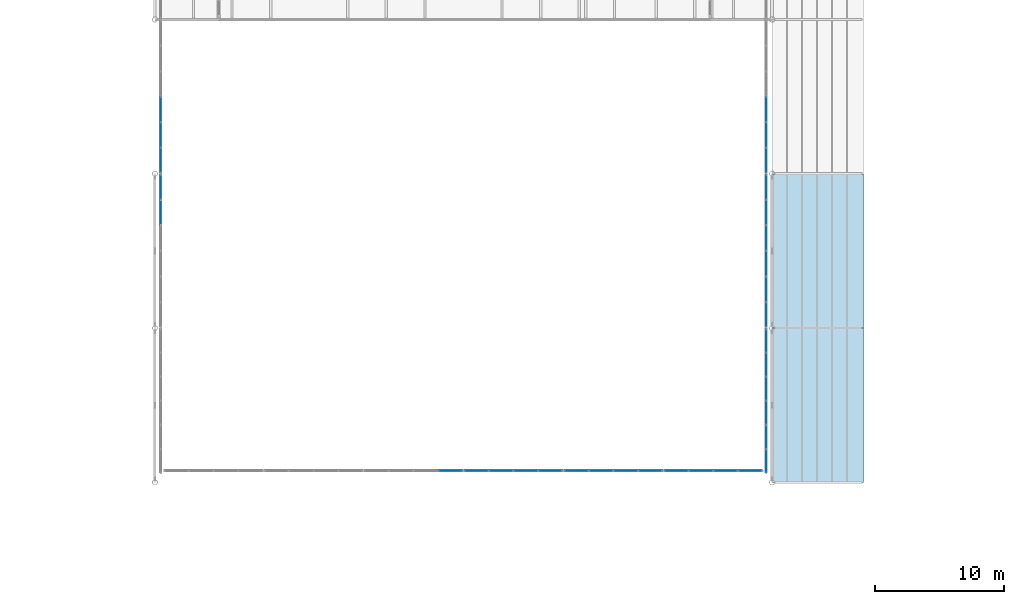
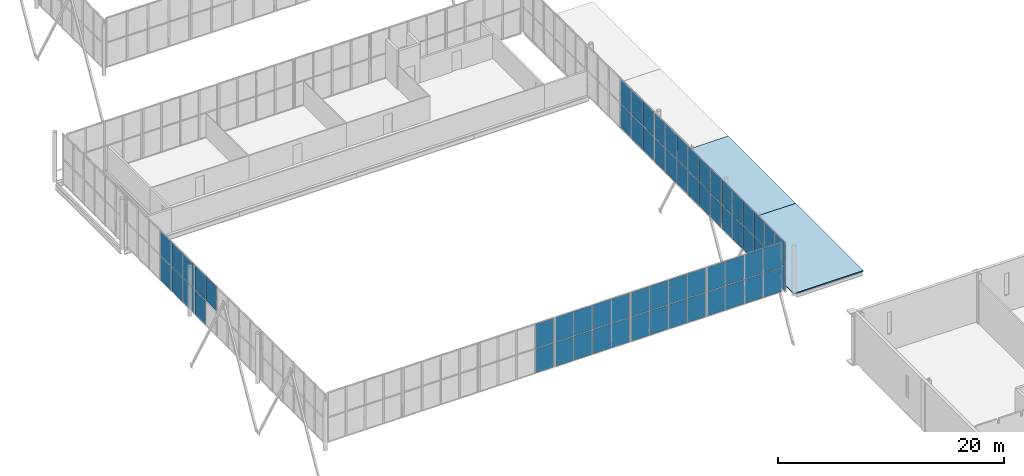
# One storey, part 92 of 170: 65 plates, 2 slabs, 9 elements without a shape of their own.
"""IFC4 building model written with IfcOpenShell, lengths in metres."""

from ifc_helpers import new_model, si_unit, direction, frame, origin, origin_2d, place, context, subcontext, project, spatial, polyline, rectangle, outline, extrude, material, layer, layer_set, type_object, element, aggregate, save


model = new_model("IFC4")

# Units and contexts
model_context = context("Model", 3, precision=1e-05, world=origin(), true_north=direction((0.0, 1.0)))
body_context = subcontext(model_context, "Body", "Model", "MODEL_VIEW")
ifc_project = project(units=[si_unit("LENGTHUNIT", "METRE"), si_unit("AREAUNIT", "SQUARE_METRE"), si_unit("VOLUMEUNIT", "CUBIC_METRE"), si_unit("PLANEANGLEUNIT", "RADIAN"), si_unit("MASSUNIT", "GRAM", prefix="KILO")], contexts=[model_context])

# Site, building, storey
site_placement = place(None, origin())
site = spatial("IfcSite", under=ifc_project, at=site_placement, CompositionType="ELEMENT")
building_placement = place(site_placement, origin())
building = spatial("IfcBuilding", under=site, at=building_placement, Name="Ravi Spectrum Wholesale Market", CompositionType="ELEMENT")
storey_placement = place(building_placement, frame((0.0, 0.0, 5.39990234375)))
storey = spatial("IfcBuildingStorey", under=building, at=storey_placement, Name="L01", CompositionType="ELEMENT", Elevation=5.39990234375)

# Curtain wall, plates
ifc_material_1 = material(Name="Aluminium 6063-T6", Category="aluminium")
ifc_layer_1 = layer(ifc_material_1, 0.14990234375)
ifc_layer_set_1 = layer_set([ifc_layer_1], Name="Aluminium 6063-T6")
curtain_wall_type = type_object("IfcCurtainWallType", Name="Curtain wall 150", PredefinedType="NOTDEFINED", material=ifc_layer_set_1)
curtain_wall_1_placement = place(storey_placement, origin())
curtain_wall_1 = element("IfcCurtainWall", 1, at=curtain_wall_1_placement, inside=storey, type_object=curtain_wall_type, Name="H2-CW-L01-002", PredefinedType="NOTDEFINED")
ifc_material_2 = material(Name="Toughened glass", Category="glass")
ifc_layer_2 = layer(ifc_material_2, 0.028076171875)
ifc_layer_set_2 = layer_set([ifc_layer_2], Name="Toughened glass")
plate_type_1 = type_object("IfcPlateType", Name="Glazing panel 28", PredefinedType="CURTAIN_PANEL", material=ifc_layer_set_2)
plate_1_placement = place(storey_placement, frame((150.453125, 98.97998046875, 2.72998046875), z_axis=(0.0, 0.0, 1.0), x_axis=(0.0, 1.0, 0.0)))
plate_1 = element("IfcPlate", 2, at=plate_1_placement, type_object=plate_type_1, Name="H2-CW-L01-002 panel 5.2", PredefinedType="CURTAIN_PANEL", context=body_context, shape_type="SweptSolid", body=[
    extrude(rectangle(XDim=1.9267578125, YDim=0.028076171875, at=origin_2d()), origin(), (0.0, 0.0, 1.0), 2.610107421875),
])
plate_2_placement = place(storey_placement, frame((150.453125, 100.95166015625, 0.06005859375), z_axis=(0.0, 0.0, 1.0), x_axis=(0.0, 1.0, 0.0)))
plate_2 = element("IfcPlate", 3, at=plate_2_placement, type_object=plate_type_1, Name="H2-CW-L01-002 panel 6.1", PredefinedType="CURTAIN_PANEL", context=body_context, shape_type="SweptSolid", body=[
    extrude(rectangle(XDim=1.896728515625, YDim=0.028076171875, at=origin_2d()), origin(), (0.0, 0.0, 1.0), 2.610107421875),
])

curtain_wall_2_placement = place(storey_placement, origin())
curtain_wall_2 = element("IfcCurtainWall", 4, at=curtain_wall_2_placement, inside=storey, type_object=curtain_wall_type, Name="H2-CW-L01-003", PredefinedType="NOTDEFINED")
plate_3_placement = place(storey_placement, frame((150.453125, 103.04833984375, 0.06005859375), z_axis=(0.0, 0.0, 1.0), x_axis=(0.0, 1.0, 0.0)))
plate_3 = element("IfcPlate", 5, at=plate_3_placement, type_object=plate_type_1, Name="H2-CW-L01-003 panel 1.1", PredefinedType="CURTAIN_PANEL", context=body_context, shape_type="SweptSolid", body=[
    extrude(rectangle(XDim=1.896728515625, YDim=0.028076171875, at=origin_2d()), origin(), (0.0, 0.0, 1.0), 2.610107421875),
])
plate_4_placement = place(storey_placement, frame((150.453125, 105.02001953125, 0.06005859375), z_axis=(0.0, 0.0, 1.0), x_axis=(0.0, 1.0, 0.0)))
plate_4 = element("IfcPlate", 6, at=plate_4_placement, type_object=plate_type_1, Name="H2-CW-L01-003 panel 2.1", PredefinedType="CURTAIN_PANEL", context=body_context, shape_type="SweptSolid", body=[
    extrude(rectangle(XDim=1.9267578125, YDim=0.028076171875, at=origin_2d()), origin(), (0.0, 0.0, 1.0), 2.610107421875),
])
plate_5_placement = place(storey_placement, frame((150.453125, 105.02001953125, 2.72998046875), z_axis=(0.0, 0.0, 1.0), x_axis=(0.0, 1.0, 0.0)))
plate_5 = element("IfcPlate", 7, at=plate_5_placement, type_object=plate_type_1, Name="H2-CW-L01-003 panel 2.2", PredefinedType="CURTAIN_PANEL", context=body_context, shape_type="SweptSolid", body=[
    extrude(rectangle(XDim=1.9267578125, YDim=0.028076171875, at=origin_2d()), origin(), (0.0, 0.0, 1.0), 2.610107421875),
])
plate_6_placement = place(storey_placement, frame((150.453125, 107.006591796875, 0.06005859375), z_axis=(0.0, 0.0, 1.0), x_axis=(0.0, 1.0, 0.0)))
plate_6 = element("IfcPlate", 8, at=plate_6_placement, type_object=plate_type_1, Name="H2-CW-L01-003 panel 3.1", PredefinedType="CURTAIN_PANEL", context=body_context, shape_type="SweptSolid", body=[
    extrude(rectangle(XDim=1.9267578125, YDim=0.028076171875, at=origin_2d()), origin(), (0.0, 0.0, 1.0), 2.610107421875),
])
plate_7_placement = place(storey_placement, frame((150.453125, 107.006591796875, 2.72998046875), z_axis=(0.0, 0.0, 1.0), x_axis=(0.0, 1.0, 0.0)))
plate_7 = element("IfcPlate", 9, at=plate_7_placement, type_object=plate_type_1, Name="H2-CW-L01-003 panel 3.2", PredefinedType="CURTAIN_PANEL", context=body_context, shape_type="SweptSolid", body=[
    extrude(rectangle(XDim=1.9267578125, YDim=0.028076171875, at=origin_2d()), origin(), (0.0, 0.0, 1.0), 2.610107421875),
])

curtain_wall_3_placement = place(storey_placement, origin())
curtain_wall_3 = element("IfcCurtainWall", 10, at=curtain_wall_3_placement, inside=storey, type_object=curtain_wall_type, Name="H2-CW-L01-005", PredefinedType="NOTDEFINED")
plate_8_placement = place(storey_placement, frame((197.546875, 79.66259765625, 0.06005859375), z_axis=(0.0, 0.0, 1.0), x_axis=(0.0, 1.0, 0.0)))
plate_8 = element("IfcPlate", 11, at=plate_8_placement, type_object=plate_type_1, Name="H2-CW-L01-005 panel 1.1", PredefinedType="CURTAIN_PANEL", context=body_context, shape_type="SweptSolid", body=[
    extrude(rectangle(XDim=1.784912109375, YDim=0.028076171875, at=origin_2d()), origin(), (0.0, 0.0, 1.0), 2.610107421875),
])
plate_9_placement = place(storey_placement, frame((197.546875, 79.66259765625, 2.72998046875), z_axis=(0.0, 0.0, 1.0), x_axis=(0.0, 1.0, 0.0)))
plate_9 = element("IfcPlate", 12, at=plate_9_placement, type_object=plate_type_1, Name="H2-CW-L01-005 panel 1.2", PredefinedType="CURTAIN_PANEL", context=body_context, shape_type="SweptSolid", body=[
    extrude(rectangle(XDim=1.784912109375, YDim=0.028076171875, at=origin_2d()), origin(), (0.0, 0.0, 1.0), 2.610107421875),
])
plate_10_placement = place(storey_placement, frame((197.546875, 81.5224609375, 2.72998046875), z_axis=(0.0, 0.0, 1.0), x_axis=(0.0, 1.0, 0.0)))
plate_10 = element("IfcPlate", 13, at=plate_10_placement, type_object=plate_type_1, Name="H2-CW-L01-005 panel 2.2", PredefinedType="CURTAIN_PANEL", context=body_context, shape_type="SweptSolid", body=[
    extrude(rectangle(XDim=1.81494140625, YDim=0.028076171875, at=origin_2d()), origin(), (0.0, 0.0, 1.0), 2.610107421875),
])
plate_11_placement = place(storey_placement, frame((197.546875, 83.3974609375, 0.06005859375), z_axis=(0.0, 0.0, 1.0), x_axis=(0.0, 1.0, 0.0)))
plate_11 = element("IfcPlate", 14, at=plate_11_placement, type_object=plate_type_1, Name="H2-CW-L01-005 panel 3.1", PredefinedType="CURTAIN_PANEL", context=body_context, shape_type="SweptSolid", body=[
    extrude(rectangle(XDim=1.81494140625, YDim=0.028076171875, at=origin_2d()), origin(), (0.0, 0.0, 1.0), 2.610107421875),
])
plate_12_placement = place(storey_placement, frame((197.546875, 87.1474609375, 2.72998046875), z_axis=(0.0, 0.0, 1.0), x_axis=(0.0, 1.0, 0.0)))
plate_12 = element("IfcPlate", 15, at=plate_12_placement, type_object=plate_type_1, Name="H2-CW-L01-005 panel 5.2", PredefinedType="CURTAIN_PANEL", context=body_context, shape_type="SweptSolid", body=[
    extrude(rectangle(XDim=1.81494140625, YDim=0.028076171875, at=origin_2d()), origin(), (0.0, 0.0, 1.0), 2.610107421875),
])
plate_13_placement = place(storey_placement, frame((197.546875, 89.007568359375, 0.06005859375), z_axis=(0.0, 0.0, 1.0), x_axis=(0.0, 1.0, 0.0)))
plate_13 = element("IfcPlate", 16, at=plate_13_placement, type_object=plate_type_1, Name="H2-CW-L01-005 panel 6.1", PredefinedType="CURTAIN_PANEL", context=body_context, shape_type="SweptSolid", body=[
    extrude(rectangle(XDim=1.784912109375, YDim=0.028076171875, at=origin_2d()), origin(), (0.0, 0.0, 1.0), 2.610107421875),
])

curtain_wall_4_placement = place(storey_placement, origin())
curtain_wall_4 = element("IfcCurtainWall", 17, at=curtain_wall_4_placement, inside=storey, type_object=curtain_wall_type, Name="H2-CW-L01-006", PredefinedType="NOTDEFINED")
plate_14_placement = place(storey_placement, frame((197.546875, 91.04833984375, 0.06005859375), z_axis=(0.0, 0.0, 1.0), x_axis=(0.0, 1.0, 0.0)))
plate_14 = element("IfcPlate", 18, at=plate_14_placement, type_object=plate_type_1, Name="H2-CW-L01-006 panel 1.1", PredefinedType="CURTAIN_PANEL", context=body_context, shape_type="SweptSolid", body=[
    extrude(rectangle(XDim=1.896728515625, YDim=0.028076171875, at=origin_2d()), origin(), (0.0, 0.0, 1.0), 2.610107421875),
])
plate_15_placement = place(storey_placement, frame((197.546875, 93.02001953125, 2.72998046875), z_axis=(0.0, 0.0, 1.0), x_axis=(0.0, 1.0, 0.0)))
plate_15 = element("IfcPlate", 19, at=plate_15_placement, type_object=plate_type_1, Name="H2-CW-L01-006 panel 2.2", PredefinedType="CURTAIN_PANEL", context=body_context, shape_type="SweptSolid", body=[
    extrude(rectangle(XDim=1.9267578125, YDim=0.028076171875, at=origin_2d()), origin(), (0.0, 0.0, 1.0), 2.610107421875),
])
plate_16_placement = place(storey_placement, frame((197.546875, 98.97998046875, 2.72998046875), z_axis=(0.0, 0.0, 1.0), x_axis=(0.0, 1.0, 0.0)))
plate_16 = element("IfcPlate", 20, at=plate_16_placement, type_object=plate_type_1, Name="H2-CW-L01-006 panel 5.2", PredefinedType="CURTAIN_PANEL", context=body_context, shape_type="SweptSolid", body=[
    extrude(rectangle(XDim=1.9267578125, YDim=0.028076171875, at=origin_2d()), origin(), (0.0, 0.0, 1.0), 2.610107421875),
])
plate_17_placement = place(storey_placement, frame((197.546875, 100.95166015625, 0.06005859375), z_axis=(0.0, 0.0, 1.0), x_axis=(0.0, 1.0, 0.0)))
plate_17 = element("IfcPlate", 21, at=plate_17_placement, type_object=plate_type_1, Name="H2-CW-L01-006 panel 6.1", PredefinedType="CURTAIN_PANEL", context=body_context, shape_type="SweptSolid", body=[
    extrude(rectangle(XDim=1.896728515625, YDim=0.028076171875, at=origin_2d()), origin(), (0.0, 0.0, 1.0), 2.610107421875),
])

curtain_wall_5_placement = place(storey_placement, origin())
curtain_wall_5 = element("IfcCurtainWall", 22, at=curtain_wall_5_placement, inside=storey, type_object=curtain_wall_type, Name="H2-CW-L01-007", PredefinedType="NOTDEFINED")
plate_18_placement = place(storey_placement, frame((197.546875, 103.04833984375, 0.06005859375), z_axis=(0.0, 0.0, 1.0), x_axis=(0.0, 1.0, 0.0)))
plate_18 = element("IfcPlate", 23, at=plate_18_placement, type_object=plate_type_1, Name="H2-CW-L01-007 panel 1.1", PredefinedType="CURTAIN_PANEL", context=body_context, shape_type="SweptSolid", body=[
    extrude(rectangle(XDim=1.896728515625, YDim=0.028076171875, at=origin_2d()), origin(), (0.0, 0.0, 1.0), 2.610107421875),
])
plate_19_placement = place(storey_placement, frame((197.546875, 105.02001953125, 0.06005859375), z_axis=(0.0, 0.0, 1.0), x_axis=(0.0, 1.0, 0.0)))
plate_19 = element("IfcPlate", 24, at=plate_19_placement, type_object=plate_type_1, Name="H2-CW-L01-007 panel 2.1", PredefinedType="CURTAIN_PANEL", context=body_context, shape_type="SweptSolid", body=[
    extrude(rectangle(XDim=1.9267578125, YDim=0.028076171875, at=origin_2d()), origin(), (0.0, 0.0, 1.0), 2.610107421875),
])
plate_20_placement = place(storey_placement, frame((197.546875, 105.02001953125, 2.72998046875), z_axis=(0.0, 0.0, 1.0), x_axis=(0.0, 1.0, 0.0)))
plate_20 = element("IfcPlate", 25, at=plate_20_placement, type_object=plate_type_1, Name="H2-CW-L01-007 panel 2.2", PredefinedType="CURTAIN_PANEL", context=body_context, shape_type="SweptSolid", body=[
    extrude(rectangle(XDim=1.9267578125, YDim=0.028076171875, at=origin_2d()), origin(), (0.0, 0.0, 1.0), 2.610107421875),
])
plate_21_placement = place(storey_placement, frame((197.546875, 107.006591796875, 0.06005859375), z_axis=(0.0, 0.0, 1.0), x_axis=(0.0, 1.0, 0.0)))
plate_21 = element("IfcPlate", 26, at=plate_21_placement, type_object=plate_type_1, Name="H2-CW-L01-007 panel 3.1", PredefinedType="CURTAIN_PANEL", context=body_context, shape_type="SweptSolid", body=[
    extrude(rectangle(XDim=1.9267578125, YDim=0.028076171875, at=origin_2d()), origin(), (0.0, 0.0, 1.0), 2.610107421875),
])
plate_22_placement = place(storey_placement, frame((197.546875, 107.006591796875, 2.72998046875), z_axis=(0.0, 0.0, 1.0), x_axis=(0.0, 1.0, 0.0)))
plate_22 = element("IfcPlate", 27, at=plate_22_placement, type_object=plate_type_1, Name="H2-CW-L01-007 panel 3.2", PredefinedType="CURTAIN_PANEL", context=body_context, shape_type="SweptSolid", body=[
    extrude(rectangle(XDim=1.9267578125, YDim=0.028076171875, at=origin_2d()), origin(), (0.0, 0.0, 1.0), 2.610107421875),
])

curtain_wall_6_placement = place(storey_placement, origin())
curtain_wall_6 = element("IfcCurtainWall", 28, at=curtain_wall_6_placement, inside=storey, type_object=curtain_wall_type, Name="H2-CW-L01-011", PredefinedType="NOTDEFINED")
plate_23_placement = place(storey_placement, frame((172.9833984375, 78.89990234375, 0.06005859375), z_axis=(0.0, 0.0, 1.0), x_axis=(1.0, 0.0, 0.0)))
plate_23 = element("IfcPlate", 29, at=plate_23_placement, type_object=plate_type_1, Name="H2-CW-L01-011 panel 4.1", PredefinedType="CURTAIN_PANEL", context=body_context, shape_type="SweptSolid", body=[
    extrude(rectangle(XDim=1.8330078125, YDim=0.028076171875, at=origin_2d()), origin(), (0.0, 0.0, 1.0), 2.610107421875),
])
plate_24_placement = place(storey_placement, frame((172.9833984375, 78.89990234375, 2.72998046875), z_axis=(0.0, 0.0, 1.0), x_axis=(1.0, 0.0, 0.0)))
plate_24 = element("IfcPlate", 30, at=plate_24_placement, type_object=plate_type_1, Name="H2-CW-L01-011 panel 4.2", PredefinedType="CURTAIN_PANEL", context=body_context, shape_type="SweptSolid", body=[
    extrude(rectangle(XDim=1.8330078125, YDim=0.028076171875, at=origin_2d()), origin(), (0.0, 0.0, 1.0), 2.610107421875),
])
aggregate(curtain_wall_6, [plate_23, plate_24])

curtain_wall_7_placement = place(storey_placement, origin())
curtain_wall_7 = element("IfcCurtainWall", 31, at=curtain_wall_7_placement, inside=storey, type_object=curtain_wall_type, Name="H2-CW-L01-012", PredefinedType="NOTDEFINED")
plate_25_placement = place(storey_placement, frame((175.0166015625, 78.89990234375, 0.06005859375), z_axis=(0.0, 0.0, 1.0), x_axis=(1.0, 0.0, 0.0)))
plate_25 = element("IfcPlate", 32, at=plate_25_placement, type_object=plate_type_1, Name="H2-CW-L01-012 panel 1.1", PredefinedType="CURTAIN_PANEL", context=body_context, shape_type="SweptSolid", body=[
    extrude(rectangle(XDim=1.8330078125, YDim=0.028076171875, at=origin_2d()), origin(), (0.0, 0.0, 1.0), 2.610107421875),
])
plate_26_placement = place(storey_placement, frame((175.0166015625, 78.89990234375, 2.72998046875), z_axis=(0.0, 0.0, 1.0), x_axis=(1.0, 0.0, 0.0)))
plate_26 = element("IfcPlate", 33, at=plate_26_placement, type_object=plate_type_1, Name="H2-CW-L01-012 panel 1.2", PredefinedType="CURTAIN_PANEL", context=body_context, shape_type="SweptSolid", body=[
    extrude(rectangle(XDim=1.8330078125, YDim=0.028076171875, at=origin_2d()), origin(), (0.0, 0.0, 1.0), 2.610107421875),
])
plate_27_placement = place(storey_placement, frame((176.924560546875, 78.89990234375, 0.06005859375), z_axis=(0.0, 0.0, 1.0), x_axis=(1.0, 0.0, 0.0)))
plate_27 = element("IfcPlate", 34, at=plate_27_placement, type_object=plate_type_1, Name="H2-CW-L01-012 panel 2.1", PredefinedType="CURTAIN_PANEL", context=body_context, shape_type="SweptSolid", body=[
    extrude(rectangle(XDim=1.863037109375, YDim=0.028076171875, at=origin_2d()), origin(), (0.0, 0.0, 1.0), 2.610107421875),
])
plate_28_placement = place(storey_placement, frame((176.924560546875, 78.89990234375, 2.72998046875), z_axis=(0.0, 0.0, 1.0), x_axis=(1.0, 0.0, 0.0)))
plate_28 = element("IfcPlate", 35, at=plate_28_placement, type_object=plate_type_1, Name="H2-CW-L01-012 panel 2.2", PredefinedType="CURTAIN_PANEL", context=body_context, shape_type="SweptSolid", body=[
    extrude(rectangle(XDim=1.863037109375, YDim=0.028076171875, at=origin_2d()), origin(), (0.0, 0.0, 1.0), 2.610107421875),
])
plate_29_placement = place(storey_placement, frame((178.84765625, 78.89990234375, 0.06005859375), z_axis=(0.0, 0.0, 1.0), x_axis=(1.0, 0.0, 0.0)))
plate_29 = element("IfcPlate", 36, at=plate_29_placement, type_object=plate_type_1, Name="H2-CW-L01-012 panel 3.1", PredefinedType="CURTAIN_PANEL", context=body_context, shape_type="SweptSolid", body=[
    extrude(rectangle(XDim=1.863037109375, YDim=0.028076171875, at=origin_2d()), origin(), (0.0, 0.0, 1.0), 2.610107421875),
])
plate_30_placement = place(storey_placement, frame((178.84765625, 78.89990234375, 2.72998046875), z_axis=(0.0, 0.0, 1.0), x_axis=(1.0, 0.0, 0.0)))
plate_30 = element("IfcPlate", 37, at=plate_30_placement, type_object=plate_type_1, Name="H2-CW-L01-012 panel 3.2", PredefinedType="CURTAIN_PANEL", context=body_context, shape_type="SweptSolid", body=[
    extrude(rectangle(XDim=1.863037109375, YDim=0.028076171875, at=origin_2d()), origin(), (0.0, 0.0, 1.0), 2.610107421875),
])
plate_31_placement = place(storey_placement, frame((180.755615234375, 78.89990234375, 0.06005859375), z_axis=(0.0, 0.0, 1.0), x_axis=(1.0, 0.0, 0.0)))
plate_31 = element("IfcPlate", 38, at=plate_31_placement, type_object=plate_type_1, Name="H2-CW-L01-012 panel 4.1", PredefinedType="CURTAIN_PANEL", context=body_context, shape_type="SweptSolid", body=[
    extrude(rectangle(XDim=1.8330078125, YDim=0.028076171875, at=origin_2d()), origin(), (0.0, 0.0, 1.0), 2.610107421875),
])
plate_32_placement = place(storey_placement, frame((180.755615234375, 78.89990234375, 2.72998046875), z_axis=(0.0, 0.0, 1.0), x_axis=(1.0, 0.0, 0.0)))
plate_32 = element("IfcPlate", 39, at=plate_32_placement, type_object=plate_type_1, Name="H2-CW-L01-012 panel 4.2", PredefinedType="CURTAIN_PANEL", context=body_context, shape_type="SweptSolid", body=[
    extrude(rectangle(XDim=1.8330078125, YDim=0.028076171875, at=origin_2d()), origin(), (0.0, 0.0, 1.0), 2.610107421875),
])
aggregate(curtain_wall_7, [plate_25, plate_26, plate_27, plate_28, plate_29, plate_30, plate_31, plate_32])

curtain_wall_8_placement = place(storey_placement, origin())
curtain_wall_8 = element("IfcCurtainWall", 40, at=curtain_wall_8_placement, inside=storey, type_object=curtain_wall_type, Name="H2-CW-L01-013", PredefinedType="NOTDEFINED")
plate_33_placement = place(storey_placement, frame((182.788818359375, 78.89990234375, 0.06005859375), z_axis=(0.0, 0.0, 1.0), x_axis=(1.0, 0.0, 0.0)))
plate_33 = element("IfcPlate", 41, at=plate_33_placement, type_object=plate_type_1, Name="H2-CW-L01-013 panel 1.1", PredefinedType="CURTAIN_PANEL", context=body_context, shape_type="SweptSolid", body=[
    extrude(rectangle(XDim=1.8330078125, YDim=0.028076171875, at=origin_2d()), origin(), (0.0, 0.0, 1.0), 2.610107421875),
])
plate_34_placement = place(storey_placement, frame((182.788818359375, 78.89990234375, 2.72998046875), z_axis=(0.0, 0.0, 1.0), x_axis=(1.0, 0.0, 0.0)))
plate_34 = element("IfcPlate", 42, at=plate_34_placement, type_object=plate_type_1, Name="H2-CW-L01-013 panel 1.2", PredefinedType="CURTAIN_PANEL", context=body_context, shape_type="SweptSolid", body=[
    extrude(rectangle(XDim=1.8330078125, YDim=0.028076171875, at=origin_2d()), origin(), (0.0, 0.0, 1.0), 2.610107421875),
])
plate_35_placement = place(storey_placement, frame((184.69677734375, 78.89990234375, 0.06005859375), z_axis=(0.0, 0.0, 1.0), x_axis=(1.0, 0.0, 0.0)))
plate_35 = element("IfcPlate", 43, at=plate_35_placement, type_object=plate_type_1, Name="H2-CW-L01-013 panel 2.1", PredefinedType="CURTAIN_PANEL", context=body_context, shape_type="SweptSolid", body=[
    extrude(rectangle(XDim=1.863037109375, YDim=0.028076171875, at=origin_2d()), origin(), (0.0, 0.0, 1.0), 2.610107421875),
])
plate_36_placement = place(storey_placement, frame((184.69677734375, 78.89990234375, 2.72998046875), z_axis=(0.0, 0.0, 1.0), x_axis=(1.0, 0.0, 0.0)))
plate_36 = element("IfcPlate", 44, at=plate_36_placement, type_object=plate_type_1, Name="H2-CW-L01-013 panel 2.2", PredefinedType="CURTAIN_PANEL", context=body_context, shape_type="SweptSolid", body=[
    extrude(rectangle(XDim=1.863037109375, YDim=0.028076171875, at=origin_2d()), origin(), (0.0, 0.0, 1.0), 2.610107421875),
])
plate_37_placement = place(storey_placement, frame((186.619873046875, 78.89990234375, 0.06005859375), z_axis=(0.0, 0.0, 1.0), x_axis=(1.0, 0.0, 0.0)))
plate_37 = element("IfcPlate", 45, at=plate_37_placement, type_object=plate_type_1, Name="H2-CW-L01-013 panel 3.1", PredefinedType="CURTAIN_PANEL", context=body_context, shape_type="SweptSolid", body=[
    extrude(rectangle(XDim=1.863037109375, YDim=0.028076171875, at=origin_2d()), origin(), (0.0, 0.0, 1.0), 2.610107421875),
])
plate_38_placement = place(storey_placement, frame((186.619873046875, 78.89990234375, 2.72998046875), z_axis=(0.0, 0.0, 1.0), x_axis=(1.0, 0.0, 0.0)))
plate_38 = element("IfcPlate", 46, at=plate_38_placement, type_object=plate_type_1, Name="H2-CW-L01-013 panel 3.2", PredefinedType="CURTAIN_PANEL", context=body_context, shape_type="SweptSolid", body=[
    extrude(rectangle(XDim=1.863037109375, YDim=0.028076171875, at=origin_2d()), origin(), (0.0, 0.0, 1.0), 2.610107421875),
])
plate_39_placement = place(storey_placement, frame((188.528076171875, 78.89990234375, 0.06005859375), z_axis=(0.0, 0.0, 1.0), x_axis=(1.0, 0.0, 0.0)))
plate_39 = element("IfcPlate", 47, at=plate_39_placement, type_object=plate_type_1, Name="H2-CW-L01-013 panel 4.1", PredefinedType="CURTAIN_PANEL", context=body_context, shape_type="SweptSolid", body=[
    extrude(rectangle(XDim=1.8330078125, YDim=0.028076171875, at=origin_2d()), origin(), (0.0, 0.0, 1.0), 2.610107421875),
])
plate_40_placement = place(storey_placement, frame((188.528076171875, 78.89990234375, 2.72998046875), z_axis=(0.0, 0.0, 1.0), x_axis=(1.0, 0.0, 0.0)))
plate_40 = element("IfcPlate", 48, at=plate_40_placement, type_object=plate_type_1, Name="H2-CW-L01-013 panel 4.2", PredefinedType="CURTAIN_PANEL", context=body_context, shape_type="SweptSolid", body=[
    extrude(rectangle(XDim=1.8330078125, YDim=0.028076171875, at=origin_2d()), origin(), (0.0, 0.0, 1.0), 2.610107421875),
])
aggregate(curtain_wall_8, [plate_33, plate_34, plate_35, plate_36, plate_37, plate_38, plate_39, plate_40])

curtain_wall_9_placement = place(storey_placement, origin())
curtain_wall_9 = element("IfcCurtainWall", 49, at=curtain_wall_9_placement, inside=storey, type_object=curtain_wall_type, Name="H2-CW-L01-014", PredefinedType="NOTDEFINED")
plate_41_placement = place(storey_placement, frame((190.56103515625, 78.89990234375, 0.06005859375), z_axis=(0.0, 0.0, 1.0), x_axis=(1.0, 0.0, 0.0)))
plate_41 = element("IfcPlate", 50, at=plate_41_placement, type_object=plate_type_1, Name="H2-CW-L01-014 panel 1.1", PredefinedType="CURTAIN_PANEL", context=body_context, shape_type="SweptSolid", body=[
    extrude(rectangle(XDim=1.8330078125, YDim=0.028076171875, at=origin_2d()), origin(), (0.0, 0.0, 1.0), 2.610107421875),
])
plate_42_placement = place(storey_placement, frame((190.56103515625, 78.89990234375, 2.72998046875), z_axis=(0.0, 0.0, 1.0), x_axis=(1.0, 0.0, 0.0)))
plate_42 = element("IfcPlate", 51, at=plate_42_placement, type_object=plate_type_1, Name="H2-CW-L01-014 panel 1.2", PredefinedType="CURTAIN_PANEL", context=body_context, shape_type="SweptSolid", body=[
    extrude(rectangle(XDim=1.8330078125, YDim=0.028076171875, at=origin_2d()), origin(), (0.0, 0.0, 1.0), 2.610107421875),
])
plate_43_placement = place(storey_placement, frame((192.46923828125, 78.89990234375, 0.06005859375), z_axis=(0.0, 0.0, 1.0), x_axis=(1.0, 0.0, 0.0)))
plate_43 = element("IfcPlate", 52, at=plate_43_placement, type_object=plate_type_1, Name="H2-CW-L01-014 panel 2.1", PredefinedType="CURTAIN_PANEL", context=body_context, shape_type="SweptSolid", body=[
    extrude(rectangle(XDim=1.863037109375, YDim=0.028076171875, at=origin_2d()), origin(), (0.0, 0.0, 1.0), 2.610107421875),
])
plate_44_placement = place(storey_placement, frame((192.46923828125, 78.89990234375, 2.72998046875), z_axis=(0.0, 0.0, 1.0), x_axis=(1.0, 0.0, 0.0)))
plate_44 = element("IfcPlate", 53, at=plate_44_placement, type_object=plate_type_1, Name="H2-CW-L01-014 panel 2.2", PredefinedType="CURTAIN_PANEL", context=body_context, shape_type="SweptSolid", body=[
    extrude(rectangle(XDim=1.863037109375, YDim=0.028076171875, at=origin_2d()), origin(), (0.0, 0.0, 1.0), 2.610107421875),
])
plate_45_placement = place(storey_placement, frame((194.39208984375, 78.89990234375, 0.06005859375), z_axis=(0.0, 0.0, 1.0), x_axis=(1.0, 0.0, 0.0)))
plate_45 = element("IfcPlate", 54, at=plate_45_placement, type_object=plate_type_1, Name="H2-CW-L01-014 panel 3.1", PredefinedType="CURTAIN_PANEL", context=body_context, shape_type="SweptSolid", body=[
    extrude(rectangle(XDim=1.863037109375, YDim=0.028076171875, at=origin_2d()), origin(), (0.0, 0.0, 1.0), 2.610107421875),
])
plate_46_placement = place(storey_placement, frame((194.39208984375, 78.89990234375, 2.72998046875), z_axis=(0.0, 0.0, 1.0), x_axis=(1.0, 0.0, 0.0)))
plate_46 = element("IfcPlate", 55, at=plate_46_placement, type_object=plate_type_1, Name="H2-CW-L01-014 panel 3.2", PredefinedType="CURTAIN_PANEL", context=body_context, shape_type="SweptSolid", body=[
    extrude(rectangle(XDim=1.863037109375, YDim=0.028076171875, at=origin_2d()), origin(), (0.0, 0.0, 1.0), 2.610107421875),
])
plate_47_placement = place(storey_placement, frame((196.30029296875, 78.89990234375, 0.06005859375), z_axis=(0.0, 0.0, 1.0), x_axis=(1.0, 0.0, 0.0)))
plate_47 = element("IfcPlate", 56, at=plate_47_placement, type_object=plate_type_1, Name="H2-CW-L01-014 panel 4.1", PredefinedType="CURTAIN_PANEL", context=body_context, shape_type="SweptSolid", body=[
    extrude(rectangle(XDim=1.8330078125, YDim=0.028076171875, at=origin_2d()), origin(), (0.0, 0.0, 1.0), 2.610107421875),
])
plate_48_placement = place(storey_placement, frame((196.30029296875, 78.89990234375, 2.72998046875), z_axis=(0.0, 0.0, 1.0), x_axis=(1.0, 0.0, 0.0)))
plate_48 = element("IfcPlate", 57, at=plate_48_placement, type_object=plate_type_1, Name="H2-CW-L01-014 panel 4.2", PredefinedType="CURTAIN_PANEL", context=body_context, shape_type="SweptSolid", body=[
    extrude(rectangle(XDim=1.8330078125, YDim=0.028076171875, at=origin_2d()), origin(), (0.0, 0.0, 1.0), 2.610107421875),
])
aggregate(curtain_wall_9, [plate_41, plate_42, plate_43, plate_44, plate_45, plate_46, plate_47, plate_48])

# Plate
ifc_material_3 = material(Name="Insulated panel")
ifc_layer_3 = layer(ifc_material_3, 0.028076171875)
ifc_layer_set_3 = layer_set([ifc_layer_3], Name="Insulated panel")
plate_type_2 = type_object("IfcPlateType", Name="Opaque insulated panel 28", PredefinedType="CURTAIN_PANEL", material=ifc_layer_set_3)
plate_49_placement = place(storey_placement, frame((150.453125, 100.95166015625, 2.72998046875), z_axis=(0.0, 0.0, 1.0), x_axis=(0.0, 1.0, 0.0)))
plate_49 = element("IfcPlate", 58, at=plate_49_placement, type_object=plate_type_2, Name="H2-CW-L01-002 panel 6.2", PredefinedType="CURTAIN_PANEL", context=body_context, shape_type="SweptSolid", body=[
    extrude(rectangle(XDim=1.896728515625, YDim=0.028076171875, at=origin_2d()), origin(), (0.0, 0.0, 1.0), 2.610107421875),
])

aggregate(curtain_wall_1, [plate_1, plate_2, plate_49])

plate_50_placement = place(storey_placement, frame((150.453125, 103.04833984375, 2.72998046875), z_axis=(0.0, 0.0, 1.0), x_axis=(0.0, 1.0, 0.0)))
plate_50 = element("IfcPlate", 59, at=plate_50_placement, type_object=plate_type_2, Name="H2-CW-L01-003 panel 1.2", PredefinedType="CURTAIN_PANEL", context=body_context, shape_type="SweptSolid", body=[
    extrude(rectangle(XDim=1.896728515625, YDim=0.028076171875, at=origin_2d()), origin(), (0.0, 0.0, 1.0), 2.610107421875),
])

aggregate(curtain_wall_2, [plate_3, plate_50, plate_4, plate_5, plate_6, plate_7])

plate_51_placement = place(storey_placement, frame((197.546875, 81.5224609375, 0.06005859375), z_axis=(0.0, 0.0, 1.0), x_axis=(0.0, 1.0, 0.0)))
plate_51 = element("IfcPlate", 60, at=plate_51_placement, type_object=plate_type_2, Name="H2-CW-L01-005 panel 2.1", PredefinedType="CURTAIN_PANEL", context=body_context, shape_type="SweptSolid", body=[
    extrude(rectangle(XDim=1.81494140625, YDim=0.028076171875, at=origin_2d()), origin(), (0.0, 0.0, 1.0), 2.610107421875),
])

plate_52_placement = place(storey_placement, frame((197.546875, 83.3974609375, 2.72998046875), z_axis=(0.0, 0.0, 1.0), x_axis=(0.0, 1.0, 0.0)))
plate_52 = element("IfcPlate", 61, at=plate_52_placement, type_object=plate_type_2, Name="H2-CW-L01-005 panel 3.2", PredefinedType="CURTAIN_PANEL", context=body_context, shape_type="SweptSolid", body=[
    extrude(rectangle(XDim=1.81494140625, YDim=0.028076171875, at=origin_2d()), origin(), (0.0, 0.0, 1.0), 2.610107421875),
])

plate_53_placement = place(storey_placement, frame((197.546875, 85.2724609375, 0.06005859375), z_axis=(0.0, 0.0, 1.0), x_axis=(0.0, 1.0, 0.0)))
plate_53 = element("IfcPlate", 62, at=plate_53_placement, type_object=plate_type_2, Name="H2-CW-L01-005 panel 4.1", PredefinedType="CURTAIN_PANEL", context=body_context, shape_type="SweptSolid", body=[
    extrude(rectangle(XDim=1.81494140625, YDim=0.028076171875, at=origin_2d()), origin(), (0.0, 0.0, 1.0), 2.610107421875),
])

plate_54_placement = place(storey_placement, frame((197.546875, 85.2724609375, 2.72998046875), z_axis=(0.0, 0.0, 1.0), x_axis=(0.0, 1.0, 0.0)))
plate_54 = element("IfcPlate", 63, at=plate_54_placement, type_object=plate_type_2, Name="H2-CW-L01-005 panel 4.2", PredefinedType="CURTAIN_PANEL", context=body_context, shape_type="SweptSolid", body=[
    extrude(rectangle(XDim=1.81494140625, YDim=0.028076171875, at=origin_2d()), origin(), (0.0, 0.0, 1.0), 2.610107421875),
])

plate_55_placement = place(storey_placement, frame((197.546875, 87.1474609375, 0.06005859375), z_axis=(0.0, 0.0, 1.0), x_axis=(0.0, 1.0, 0.0)))
plate_55 = element("IfcPlate", 64, at=plate_55_placement, type_object=plate_type_2, Name="H2-CW-L01-005 panel 5.1", PredefinedType="CURTAIN_PANEL", context=body_context, shape_type="SweptSolid", body=[
    extrude(rectangle(XDim=1.81494140625, YDim=0.028076171875, at=origin_2d()), origin(), (0.0, 0.0, 1.0), 2.610107421875),
])

plate_56_placement = place(storey_placement, frame((197.546875, 89.007568359375, 2.72998046875), z_axis=(0.0, 0.0, 1.0), x_axis=(0.0, 1.0, 0.0)))
plate_56 = element("IfcPlate", 65, at=plate_56_placement, type_object=plate_type_2, Name="H2-CW-L01-005 panel 6.2", PredefinedType="CURTAIN_PANEL", context=body_context, shape_type="SweptSolid", body=[
    extrude(rectangle(XDim=1.784912109375, YDim=0.028076171875, at=origin_2d()), origin(), (0.0, 0.0, 1.0), 2.610107421875),
])

aggregate(curtain_wall_3, [plate_8, plate_9, plate_51, plate_10, plate_11, plate_52, plate_53, plate_54, plate_55, plate_12, plate_13, plate_56])

plate_57_placement = place(storey_placement, frame((197.546875, 91.04833984375, 2.72998046875), z_axis=(0.0, 0.0, 1.0), x_axis=(0.0, 1.0, 0.0)))
plate_57 = element("IfcPlate", 66, at=plate_57_placement, type_object=plate_type_2, Name="H2-CW-L01-006 panel 1.2", PredefinedType="CURTAIN_PANEL", context=body_context, shape_type="SweptSolid", body=[
    extrude(rectangle(XDim=1.896728515625, YDim=0.028076171875, at=origin_2d()), origin(), (0.0, 0.0, 1.0), 2.610107421875),
])

plate_58_placement = place(storey_placement, frame((197.546875, 93.02001953125, 0.06005859375), z_axis=(0.0, 0.0, 1.0), x_axis=(0.0, 1.0, 0.0)))
plate_58 = element("IfcPlate", 67, at=plate_58_placement, type_object=plate_type_2, Name="H2-CW-L01-006 panel 2.1", PredefinedType="CURTAIN_PANEL", context=body_context, shape_type="SweptSolid", body=[
    extrude(rectangle(XDim=1.9267578125, YDim=0.028076171875, at=origin_2d()), origin(), (0.0, 0.0, 1.0), 2.610107421875),
])

plate_59_placement = place(storey_placement, frame((197.546875, 95.006591796875, 0.06005859375), z_axis=(0.0, 0.0, 1.0), x_axis=(0.0, 1.0, 0.0)))
plate_59 = element("IfcPlate", 68, at=plate_59_placement, type_object=plate_type_2, Name="H2-CW-L01-006 panel 3.1", PredefinedType="CURTAIN_PANEL", context=body_context, shape_type="SweptSolid", body=[
    extrude(rectangle(XDim=1.9267578125, YDim=0.028076171875, at=origin_2d()), origin(), (0.0, 0.0, 1.0), 2.610107421875),
])

plate_60_placement = place(storey_placement, frame((197.546875, 95.006591796875, 2.72998046875), z_axis=(0.0, 0.0, 1.0), x_axis=(0.0, 1.0, 0.0)))
plate_60 = element("IfcPlate", 69, at=plate_60_placement, type_object=plate_type_2, Name="H2-CW-L01-006 panel 3.2", PredefinedType="CURTAIN_PANEL", context=body_context, shape_type="SweptSolid", body=[
    extrude(rectangle(XDim=1.9267578125, YDim=0.028076171875, at=origin_2d()), origin(), (0.0, 0.0, 1.0), 2.610107421875),
])

plate_61_placement = place(storey_placement, frame((197.546875, 96.993408203125, 0.06005859375), z_axis=(0.0, 0.0, 1.0), x_axis=(0.0, 1.0, 0.0)))
plate_61 = element("IfcPlate", 70, at=plate_61_placement, type_object=plate_type_2, Name="H2-CW-L01-006 panel 4.1", PredefinedType="CURTAIN_PANEL", context=body_context, shape_type="SweptSolid", body=[
    extrude(rectangle(XDim=1.9267578125, YDim=0.028076171875, at=origin_2d()), origin(), (0.0, 0.0, 1.0), 2.610107421875),
])

plate_62_placement = place(storey_placement, frame((197.546875, 96.993408203125, 2.72998046875), z_axis=(0.0, 0.0, 1.0), x_axis=(0.0, 1.0, 0.0)))
plate_62 = element("IfcPlate", 71, at=plate_62_placement, type_object=plate_type_2, Name="H2-CW-L01-006 panel 4.2", PredefinedType="CURTAIN_PANEL", context=body_context, shape_type="SweptSolid", body=[
    extrude(rectangle(XDim=1.9267578125, YDim=0.028076171875, at=origin_2d()), origin(), (0.0, 0.0, 1.0), 2.610107421875),
])

plate_63_placement = place(storey_placement, frame((197.546875, 98.97998046875, 0.06005859375), z_axis=(0.0, 0.0, 1.0), x_axis=(0.0, 1.0, 0.0)))
plate_63 = element("IfcPlate", 72, at=plate_63_placement, type_object=plate_type_2, Name="H2-CW-L01-006 panel 5.1", PredefinedType="CURTAIN_PANEL", context=body_context, shape_type="SweptSolid", body=[
    extrude(rectangle(XDim=1.9267578125, YDim=0.028076171875, at=origin_2d()), origin(), (0.0, 0.0, 1.0), 2.610107421875),
])

plate_64_placement = place(storey_placement, frame((197.546875, 100.95166015625, 2.72998046875), z_axis=(0.0, 0.0, 1.0), x_axis=(0.0, 1.0, 0.0)))
plate_64 = element("IfcPlate", 73, at=plate_64_placement, type_object=plate_type_2, Name="H2-CW-L01-006 panel 6.2", PredefinedType="CURTAIN_PANEL", context=body_context, shape_type="SweptSolid", body=[
    extrude(rectangle(XDim=1.896728515625, YDim=0.028076171875, at=origin_2d()), origin(), (0.0, 0.0, 1.0), 2.610107421875),
])

aggregate(curtain_wall_4, [plate_14, plate_57, plate_58, plate_15, plate_59, plate_60, plate_61, plate_62, plate_63, plate_16, plate_17, plate_64])

plate_65_placement = place(storey_placement, frame((197.546875, 103.04833984375, 2.72998046875), z_axis=(0.0, 0.0, 1.0), x_axis=(0.0, 1.0, 0.0)))
plate_65 = element("IfcPlate", 74, at=plate_65_placement, type_object=plate_type_2, Name="H2-CW-L01-007 panel 1.2", PredefinedType="CURTAIN_PANEL", context=body_context, shape_type="SweptSolid", body=[
    extrude(rectangle(XDim=1.896728515625, YDim=0.028076171875, at=origin_2d()), origin(), (0.0, 0.0, 1.0), 2.610107421875),
])

aggregate(curtain_wall_5, [plate_18, plate_65, plate_19, plate_20, plate_21, plate_22])

# Slabs
ifc_material_4 = material(Name="Steel S355", Category="steel")
ifc_layer_4 = layer(ifc_material_4, 0.1201171875)
ifc_layer_set_4 = layer_set([ifc_layer_4], Name="Steel S355")
slab_type = type_object("IfcSlabType", Name="Roof deck 120", PredefinedType="ROOF", material=ifc_layer_set_4)
slab_1_placement = place(storey_placement, origin())
element("IfcSlab", 75, at=slab_1_placement, inside=storey, type_object=slab_type, Name="H2-SL-L01-002", PredefinedType="ROOF", context=body_context, shape_type="SweptSolid", body=[
    extrude(outline(polyline([(198.0, 78.0), (205.109619140625, 78.0), (205.109619140625, 90.0), (198.0, 90.0), (198.0, 78.0)])), origin(), (0.0, 0.0, 1.0), 0.1201171875),
])
slab_2_placement = place(storey_placement, origin())
element("IfcSlab", 76, at=slab_2_placement, inside=storey, type_object=slab_type, Name="H2-SL-L01-003", PredefinedType="ROOF", context=body_context, shape_type="SweptSolid", body=[
    extrude(outline(polyline([(198.0, 90.0), (205.109619140625, 90.0), (205.109619140625, 102.0), (198.0, 102.0), (198.0, 90.0)])), origin(), (0.0, 0.0, 1.0), 0.1201171875),
])

save(model, "model.ifc")
